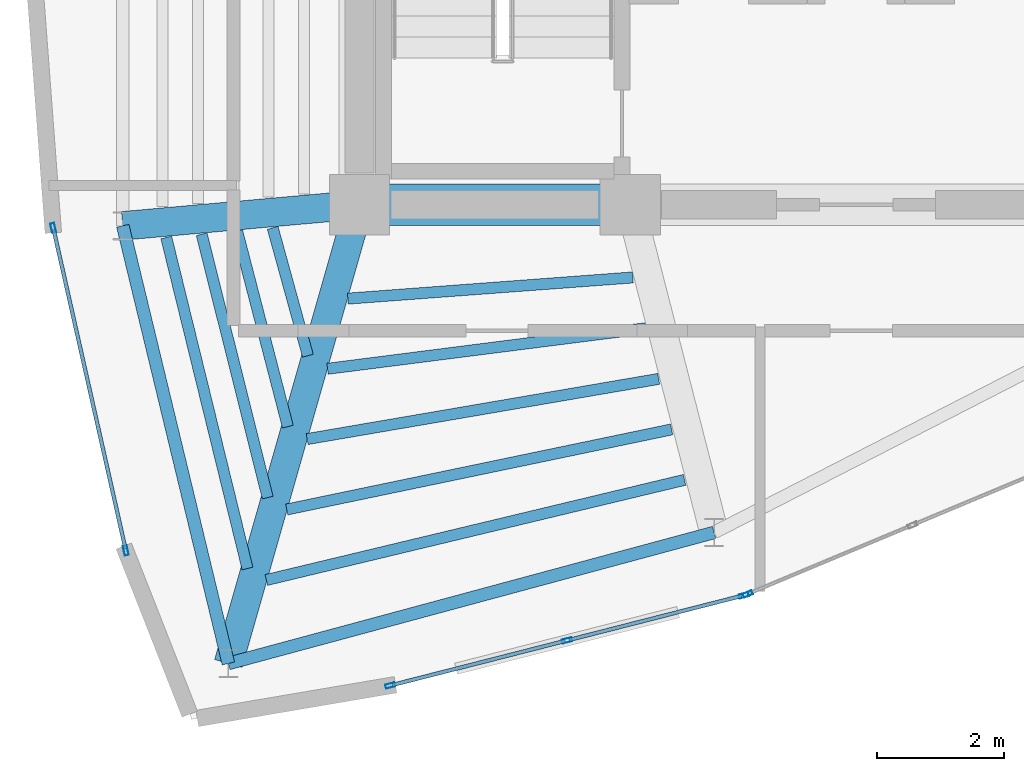
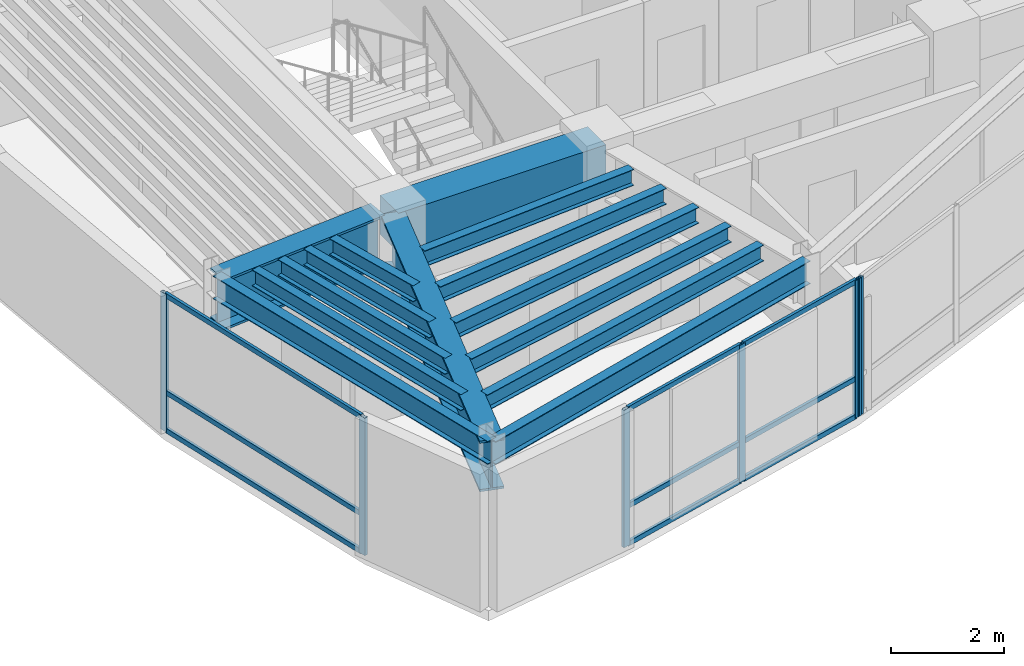
# One storey, part 2 of 14: 15 members, 14 beams, 3 elements without a shape of their own.
"""IFC4 building model written with IfcOpenShell, lengths in metres."""

from ifc_helpers import new_model, si_unit, direction, frame, origin, origin_2d, place, context, subcontext, project, spatial, rectangle, hollow_rectangle, i_section, extrude, material, layer, layer_set, material_profile, profile_set, type_object, element, aggregate, save


model = new_model("IFC4")

# Units and contexts
model_context = context("Model", 3, precision=1e-05, world=origin(), true_north=direction((0.0, 1.0)))
body_context = subcontext(model_context, "Body", "Model", "MODEL_VIEW")
ifc_project = project(units=[si_unit("LENGTHUNIT", "METRE"), si_unit("AREAUNIT", "SQUARE_METRE"), si_unit("VOLUMEUNIT", "CUBIC_METRE"), si_unit("PLANEANGLEUNIT", "RADIAN"), si_unit("MASSUNIT", "GRAM", prefix="KILO")], contexts=[model_context])

# Site, building, storey
site_placement = place(None, origin())
site = spatial("IfcSite", under=ifc_project, at=site_placement, CompositionType="ELEMENT")
building_placement = place(site_placement, origin())
building = spatial("IfcBuilding", under=site, at=building_placement, Name="Menara Vayukalpa", CompositionType="ELEMENT")
storey_placement = place(building_placement, frame((0.0, 0.0, 312.02001953125)))
storey = spatial("IfcBuildingStorey", under=building, at=storey_placement, Name="L80", CompositionType="ELEMENT", Elevation=312.02001953125)

# Beams
ifc_material_1 = material(Name="Concrete C60/75", Category="concrete")
ifc_material_profile_1 = material_profile(ifc_material_1, rectangle(XDim=0.64990234375, YDim=0.85009765625, at=origin_2d()), Name="RC 650x850")
ifc_profile_set_1 = profile_set([ifc_material_profile_1], Name="Concrete C60/75")
beam_type_1 = type_object("IfcBeamType", Name="BM-CB1", PredefinedType="BEAM", material=ifc_profile_set_1)
beam_1_placement = place(storey_placement, frame((17.800048828125, 17.199951171875, 2.554931640625), z_axis=(1.0, 0.0, 0.0), x_axis=(0.0, 1.0, 0.0)))
element("IfcBeam", 1, at=beam_1_placement, inside=storey, type_object=beam_type_1, Name="L80 Core Tie Beam CBR1", PredefinedType="BEAM", context=body_context, shape_type="SweptSolid", body=[
    extrude(rectangle(XDim=0.64990234375, YDim=0.85009765625, at=origin_2d()), origin(), (0.0, 0.0, 1.0), 4.25),
])
ifc_material_2 = material(Name="Steel S460", Category="steel")
ifc_material_profile_2 = material_profile(ifc_material_2, i_section(OverallWidth=0.449951171875, OverallDepth=1.10009765625, WebThickness=0.02490234375, FlangeThickness=0.050048828125, at=origin_2d()), Name="WG 1100x450x25x50")
ifc_profile_set_2 = profile_set([ifc_material_profile_2], Name="Steel S460")
beam_type_2 = type_object("IfcBeamType", Name="BM-MTG1", PredefinedType="BEAM", material=ifc_profile_set_2)
beam_2_placement = place(storey_placement, frame((17.551025390625, 17.177734375, 2.429931640625), z_axis=(-0.996018615253, -0.089145488221, 0.0), x_axis=(0.089145488221, -0.996018615253, 0.0)))
element("IfcBeam", 2, at=beam_2_placement, inside=storey, type_object=beam_type_2, Name="L80 Primary Radial Girder RG06", PredefinedType="BEAM", context=body_context, shape_type="SweptSolid", body=[
    extrude(i_section(OverallWidth=0.449951171875, OverallDepth=1.10009765625, WebThickness=0.02490234375, FlangeThickness=0.050048828125, at=origin_2d()), origin(), (0.0, 0.0, 1.0), 3.483642578125),
])
beam_3_placement = place(storey_placement, frame((17.731201171875, 16.959716796875, 2.429931640625), z_axis=(-0.274721127897, -0.961523947641, 0.0), x_axis=(0.961523947641, -0.274721127897, 0.0)))
element("IfcBeam", 3, at=beam_3_placement, inside=storey, type_object=beam_type_2, Name="L80 Primary Radial Girder RG07", PredefinedType="BEAM", context=body_context, shape_type="SweptSolid", body=[
    extrude(i_section(OverallWidth=0.449951171875, OverallDepth=1.10009765625, WebThickness=0.02490234375, FlangeThickness=0.050048828125, at=origin_2d()), origin(), (0.0, 0.0, 1.0), 7.246337890625),
])
ifc_material_3 = material(Name="Steel S355", Category="steel")
ifc_material_profile_3 = material_profile(ifc_material_3, i_section(OverallWidth=0.175048828125, OverallDepth=0.35009765625, WebThickness=0.007080078125, FlangeThickness=0.010986328125, at=origin_2d()), Name="WF 350x175x7x11")
ifc_profile_set_3 = profile_set([ifc_material_profile_3], Name="Steel S355")
beam_type_3 = type_object("IfcBeamType", Name="BM-SJ3", PredefinedType="JOIST", material=ifc_profile_set_3)
beam_4_placement = place(storey_placement, frame((16.436279296875, 16.8359375, 2.804931640625), z_axis=(0.265485960503, -0.964114725941, 0.0), x_axis=(0.964114725941, 0.265485960503, 0.0)))
element("IfcBeam", 4, at=beam_4_placement, inside=storey, type_object=beam_type_3, Name="L80 Secondary Floor Joist SJ06-2", PredefinedType="JOIST", context=body_context, shape_type="SweptSolid", body=[
    extrude(i_section(OverallWidth=0.175048828125, OverallDepth=0.35009765625, WebThickness=0.007080078125, FlangeThickness=0.010986328125, at=origin_2d()), origin(), (0.0, 0.0, 1.0), 2.083740234375),
])
beam_5_placement = place(storey_placement, frame((15.877685546875, 16.785400390625, 2.804931640625), z_axis=(0.250996862559, -0.967987900227, 0.0), x_axis=(0.967987900227, 0.250996862559, 0.0)))
element("IfcBeam", 5, at=beam_5_placement, inside=storey, type_object=beam_type_3, Name="L80 Secondary Floor Joist SJ06-3", PredefinedType="JOIST", context=body_context, shape_type="SweptSolid", body=[
    extrude(i_section(OverallWidth=0.175048828125, OverallDepth=0.35009765625, WebThickness=0.007080078125, FlangeThickness=0.010986328125, at=origin_2d()), origin(), (0.0, 0.0, 1.0), 3.173828125),
])
beam_6_placement = place(storey_placement, frame((15.32080078125, 16.735107421875, 2.804931640625), z_axis=(0.243209126808, -0.969973876265, 0.0), x_axis=(0.969973876265, 0.243209126808, 0.0)))
element("IfcBeam", 6, at=beam_6_placement, inside=storey, type_object=beam_type_3, Name="L80 Secondary Floor Joist SJ06-4", PredefinedType="JOIST", context=body_context, shape_type="SweptSolid", body=[
    extrude(i_section(OverallWidth=0.175048828125, OverallDepth=0.35009765625, WebThickness=0.007080078125, FlangeThickness=0.010986328125, at=origin_2d()), origin(), (0.0, 0.0, 1.0), 4.26416015625),
])
beam_7_placement = place(storey_placement, frame((14.764404296875, 16.68505859375, 2.804931640625), z_axis=(0.238306723875, -0.971189942985, 0.0), x_axis=(0.971189942985, 0.238306723875, 0.0)))
element("IfcBeam", 7, at=beam_7_placement, inside=storey, type_object=beam_type_3, Name="L80 Secondary Floor Joist SJ06-5", PredefinedType="JOIST", context=body_context, shape_type="SweptSolid", body=[
    extrude(i_section(OverallWidth=0.175048828125, OverallDepth=0.35009765625, WebThickness=0.007080078125, FlangeThickness=0.010986328125, at=origin_2d()), origin(), (0.0, 0.0, 1.0), 5.35498046875),
])
beam_8_placement = place(storey_placement, frame((17.6171875, 15.7236328125, 2.804931640625), z_axis=(0.997249175421, 0.074122075804, 0.0), x_axis=(-0.074122075804, 0.997249175421, 0.0)))
element("IfcBeam", 8, at=beam_8_placement, inside=storey, type_object=beam_type_3, Name="L80 Secondary Floor Joist SJ07-1", PredefinedType="JOIST", context=body_context, shape_type="SweptSolid", body=[
    extrude(i_section(OverallWidth=0.175048828125, OverallDepth=0.35009765625, WebThickness=0.007080078125, FlangeThickness=0.010986328125, at=origin_2d()), origin(), (0.0, 0.0, 1.0), 4.489501953125),
])
beam_9_placement = place(storey_placement, frame((17.297607421875, 14.62158203125, 2.804931640625), z_axis=(0.991987539287, 0.126335750682, 0.0), x_axis=(-0.126335750682, 0.991987539287, 0.0)))
element("IfcBeam", 9, at=beam_9_placement, inside=storey, type_object=beam_type_3, Name="L80 Secondary Floor Joist SJ07-2", PredefinedType="JOIST", context=body_context, shape_type="SweptSolid", body=[
    extrude(i_section(OverallWidth=0.175048828125, OverallDepth=0.35009765625, WebThickness=0.007080078125, FlangeThickness=0.010986328125, at=origin_2d()), origin(), (0.0, 0.0, 1.0), 5.039794921875),
])
beam_10_placement = place(storey_placement, frame((16.977294921875, 13.517333984375, 2.804931640625), z_axis=(0.985657685594, 0.168757005274, 0.0), x_axis=(-0.168757005274, 0.985657685594, 0.0)))
element("IfcBeam", 10, at=beam_10_placement, inside=storey, type_object=beam_type_3, Name="L80 Secondary Floor Joist SJ07-3", PredefinedType="JOIST", context=body_context, shape_type="SweptSolid", body=[
    extrude(i_section(OverallWidth=0.175048828125, OverallDepth=0.35009765625, WebThickness=0.007080078125, FlangeThickness=0.010986328125, at=origin_2d()), origin(), (0.0, 0.0, 1.0), 5.60302734375),
])
beam_11_placement = place(storey_placement, frame((16.6572265625, 12.4111328125, 2.804931640625), z_axis=(0.979027428924, 0.203728479637, 0.0), x_axis=(-0.203728479637, 0.979027428924, 0.0)))
element("IfcBeam", 11, at=beam_11_placement, inside=storey, type_object=beam_type_3, Name="L80 Secondary Floor Joist SJ07-4", PredefinedType="JOIST", context=body_context, shape_type="SweptSolid", body=[
    extrude(i_section(OverallWidth=0.175048828125, OverallDepth=0.35009765625, WebThickness=0.007080078125, FlangeThickness=0.010986328125, at=origin_2d()), origin(), (0.0, 0.0, 1.0), 6.175048828125),
])
beam_12_placement = place(storey_placement, frame((16.337158203125, 11.303466796875, 2.804931640625), z_axis=(0.972497430752, 0.232913604541, 0.0), x_axis=(-0.232913604541, 0.972497430752, 0.0)))
element("IfcBeam", 12, at=beam_12_placement, inside=storey, type_object=beam_type_3, Name="L80 Secondary Floor Joist SJ07-5", PredefinedType="JOIST", context=body_context, shape_type="SweptSolid", body=[
    extrude(i_section(OverallWidth=0.175048828125, OverallDepth=0.35009765625, WebThickness=0.007080078125, FlangeThickness=0.010986328125, at=origin_2d()), origin(), (0.0, 0.0, 1.0), 6.754638671875),
])
ifc_material_4 = material(Name="Steel S355", Category="steel")
ifc_material_profile_4 = material_profile(ifc_material_4, i_section(OverallWidth=0.199951171875, OverallDepth=0.5, WebThickness=0.010009765625, FlangeThickness=0.01611328125, at=origin_2d()), Name="WF 500x200x10x16")
ifc_profile_set_4 = profile_set([ifc_material_profile_4], Name="Steel S355")
beam_type_4 = type_object("IfcBeamType", Name="BM-SP3", PredefinedType="SPANDREL", material=ifc_profile_set_4)
beam_13_placement = place(storey_placement, frame((14.081298828125, 16.8671875, 2.72998046875), z_axis=(0.234600039411, -0.97209198202, 0.0), x_axis=(0.97209198202, 0.234600039411, 0.0)))
element("IfcBeam", 13, at=beam_13_placement, inside=storey, type_object=beam_type_4, Name="L80 Perimeter Spandrel Beam SP06", PredefinedType="SPANDREL", context=body_context, shape_type="SweptSolid", body=[
    extrude(i_section(OverallWidth=0.199951171875, OverallDepth=0.5, WebThickness=0.010009765625, FlangeThickness=0.01611328125, at=origin_2d()), origin(), (0.0, 0.0, 1.0), 7.072265625),
])
beam_14_placement = place(storey_placement, frame((15.740478515625, 9.9921875, 2.72998046875), z_axis=(0.965485889412, 0.260455365361, 0.0), x_axis=(-0.260455365361, 0.965485889412, 0.0)))
element("IfcBeam", 14, at=beam_14_placement, inside=storey, type_object=beam_type_4, Name="L80 Perimeter Spandrel Beam SP07", PredefinedType="SPANDREL", context=body_context, shape_type="SweptSolid", body=[
    extrude(i_section(OverallWidth=0.199951171875, OverallDepth=0.5, WebThickness=0.010009765625, FlangeThickness=0.01611328125, at=origin_2d()), origin(), (0.0, 0.0, 1.0), 7.90283203125),
])

# Curtain wall, members
ifc_material_5 = material(Name="Anodised Terracotta Aluminium Alloy 6063-T6", Category="masonry")
ifc_layer = layer(ifc_material_5, 0.14990234375)
ifc_layer_set = layer_set([ifc_layer], Name="Anodised Terracotta Aluminium Alloy 6063-T6")
curtain_wall_type = type_object("IfcCurtainWallType", Name="CW-CW7", PredefinedType="USERDEFINED", material=ifc_layer_set)
curtain_wall_1_placement = place(storey_placement, origin())
curtain_wall_1 = element("IfcCurtainWall", 15, at=curtain_wall_1_placement, inside=storey, type_object=curtain_wall_type, Name="L80 Crown Drum Screened Curtain Wall CW7 12", ObjectType="UNITISED", PredefinedType="USERDEFINED")
ifc_material_6 = material(Name="Anodised Terracotta Aluminium Alloy 6063-T6", Category="masonry")
ifc_material_profile_5 = material_profile(ifc_material_6, hollow_rectangle(XDim=0.06494140625, YDim=0.14990234375, WallThickness=0.00341796875, at=origin_2d()), Name="ALU 65x150x3.5")
ifc_profile_set_5 = profile_set([ifc_material_profile_5], Name="Anodised Terracotta Aluminium Alloy 6063-T6")
member_type_1 = type_object("IfcMemberType", Name="CWM-CW7", PredefinedType="MULLION", material=ifc_profile_set_5)
member_1_placement = place(storey_placement, frame((12.988525390625, 16.83544921875, 0.0), z_axis=(0.0, 0.0, 1.0), x_axis=(0.975608941973, 0.219515813421, 0.0)))
member_1 = element("IfcMember", 16, at=member_1_placement, type_object=member_type_1, Name="CW7 mullion 1", PredefinedType="MULLION", context=body_context, shape_type="SweptSolid", body=[
    extrude(hollow_rectangle(XDim=0.06494140625, YDim=0.14990234375, WallThickness=0.00341796875, at=origin_2d()), origin(), (0.0, 0.0, 1.0), 2.97998046875),
])
member_2_placement = place(storey_placement, frame((14.129150390625, 11.76611328125, 0.0), z_axis=(0.0, 0.0, 1.0), x_axis=(0.975608941973, 0.219515813421, 0.0)))
member_2 = element("IfcMember", 17, at=member_2_placement, type_object=member_type_1, Name="CW7 mullion 2", PredefinedType="MULLION", context=body_context, shape_type="SweptSolid", body=[
    extrude(hollow_rectangle(XDim=0.06494140625, YDim=0.14990234375, WallThickness=0.00341796875, at=origin_2d()), origin(), (0.0, 0.0, 1.0), 2.97998046875),
])

curtain_wall_2_placement = place(storey_placement, origin())
curtain_wall_2 = element("IfcCurtainWall", 18, at=curtain_wall_2_placement, inside=storey, type_object=curtain_wall_type, Name="L80 Crown Drum Screened Curtain Wall CW7 15", ObjectType="UNITISED", PredefinedType="USERDEFINED")
member_3_placement = place(storey_placement, frame((18.284423828125, 9.64599609375, 0.0), z_axis=(0.0, 0.0, 1.0), x_axis=(-0.247123764219, 0.968983924097, 0.0)))
member_3 = element("IfcMember", 19, at=member_3_placement, type_object=member_type_1, Name="CW7 mullion 1", PredefinedType="MULLION", context=body_context, shape_type="SweptSolid", body=[
    extrude(hollow_rectangle(XDim=0.06494140625, YDim=0.14990234375, WallThickness=0.00341796875, at=origin_2d()), origin(), (0.0, 0.0, 1.0), 2.97998046875),
])
member_4_placement = place(storey_placement, frame((21.0615234375, 10.354248046875, 0.0), z_axis=(0.0, 0.0, 1.0), x_axis=(-0.247123764219, 0.968983924097, 0.0)))
member_4 = element("IfcMember", 20, at=member_4_placement, type_object=member_type_1, Name="CW7 mullion 2", PredefinedType="MULLION", context=body_context, shape_type="SweptSolid", body=[
    extrude(hollow_rectangle(XDim=0.06494140625, YDim=0.14990234375, WallThickness=0.00341796875, at=origin_2d()), origin(), (0.0, 0.0, 1.0), 2.97998046875),
])
member_5_placement = place(storey_placement, frame((23.83837890625, 11.062255859375, 0.0), z_axis=(0.0, 0.0, 1.0), x_axis=(-0.247123764219, 0.968983924097, 0.0)))
member_5 = element("IfcMember", 21, at=member_5_placement, type_object=member_type_1, Name="CW7 mullion 3", PredefinedType="MULLION", context=body_context, shape_type="SweptSolid", body=[
    extrude(hollow_rectangle(XDim=0.06494140625, YDim=0.14990234375, WallThickness=0.00341796875, at=origin_2d()), origin(), (0.0, 0.0, 1.0), 2.97998046875),
])

# Curtain wall, member
curtain_wall_3_placement = place(storey_placement, origin())
curtain_wall_3 = element("IfcCurtainWall", 22, at=curtain_wall_3_placement, inside=storey, type_object=curtain_wall_type, Name="L80 Crown Drum Screened Curtain Wall CW7 16", ObjectType="UNITISED", PredefinedType="USERDEFINED")
member_6_placement = place(storey_placement, frame((23.89990234375, 11.0830078125, 0.0), z_axis=(0.0, 0.0, 1.0), x_axis=(-0.385898361946, 0.922541302191, 0.0)))
member_6 = element("IfcMember", 23, at=member_6_placement, type_object=member_type_1, Name="CW7 mullion 1", PredefinedType="MULLION", context=body_context, shape_type="SweptSolid", body=[
    extrude(hollow_rectangle(XDim=0.06494140625, YDim=0.14990234375, WallThickness=0.00341796875, at=origin_2d()), origin(), (0.0, 0.0, 1.0), 2.97998046875),
])
aggregate(curtain_wall_3, [member_6])

# Member
ifc_material_7 = material(Name="Anodised Terracotta Aluminium Alloy 6063-T6", Category="masonry")
ifc_material_profile_6 = material_profile(ifc_material_7, hollow_rectangle(XDim=0.06005859375, YDim=0.10498046875, WallThickness=0.0029296875, at=origin_2d()), Name="ALU 60x105x3")
ifc_profile_set_6 = profile_set([ifc_material_profile_6], Name="Anodised Terracotta Aluminium Alloy 6063-T6")
member_type_2 = type_object("IfcMemberType", Name="CWT-CW7", PredefinedType="USERDEFINED", material=ifc_profile_set_6)
member_7_placement = place(storey_placement, frame((12.99560546875, 16.8037109375, 0.030029296875), z_axis=(0.219539368084, -0.975603641784, 0.0), x_axis=(0.975603641784, 0.219539368084, 0.0)))
member_7 = element("IfcMember", 24, at=member_7_placement, type_object=member_type_2, Name="CW7 transom 1.1", ObjectType="TRANSOM", PredefinedType="USERDEFINED", context=body_context, shape_type="SweptSolid", body=[
    extrude(hollow_rectangle(XDim=0.06005859375, YDim=0.10498046875, WallThickness=0.0029296875, at=origin_2d()), origin(), (0.0, 0.0, 1.0), 5.131103515625),
])

member_8_placement = place(storey_placement, frame((12.99560546875, 16.8037109375, 0.85009765625), z_axis=(0.219539368084, -0.975603641784, 0.0), x_axis=(0.975603641784, 0.219539368084, 0.0)))
member_8 = element("IfcMember", 25, at=member_8_placement, type_object=member_type_2, Name="CW7 transom 1.2", ObjectType="TRANSOM", PredefinedType="USERDEFINED", context=body_context, shape_type="SweptSolid", body=[
    extrude(hollow_rectangle(XDim=0.06005859375, YDim=0.10498046875, WallThickness=0.0029296875, at=origin_2d()), origin(), (0.0, 0.0, 1.0), 5.131103515625),
])

member_9_placement = place(storey_placement, frame((12.99560546875, 16.8037109375, 2.949951171875), z_axis=(0.219539368084, -0.975603641784, 0.0), x_axis=(0.975603641784, 0.219539368084, 0.0)))
member_9 = element("IfcMember", 26, at=member_9_placement, type_object=member_type_2, Name="CW7 transom 1.3", ObjectType="TRANSOM", PredefinedType="USERDEFINED", context=body_context, shape_type="SweptSolid", body=[
    extrude(hollow_rectangle(XDim=0.06005859375, YDim=0.10498046875, WallThickness=0.0029296875, at=origin_2d()), origin(), (0.0, 0.0, 1.0), 5.131103515625),
])

aggregate(curtain_wall_1, [member_1, member_2, member_7, member_8, member_9])

member_10_placement = place(storey_placement, frame((18.31591796875, 9.654052734375, 0.030029296875), z_axis=(0.968988349591, 0.247106411, 0.0), x_axis=(-0.247106411, 0.968988349591, 0.0)))
member_10 = element("IfcMember", 27, at=member_10_placement, type_object=member_type_2, Name="CW7 transom 1.1", ObjectType="TRANSOM", PredefinedType="USERDEFINED", context=body_context, shape_type="SweptSolid", body=[
    extrude(hollow_rectangle(XDim=0.06005859375, YDim=0.10498046875, WallThickness=0.0029296875, at=origin_2d()), origin(), (0.0, 0.0, 1.0), 2.801025390625),
])

member_11_placement = place(storey_placement, frame((18.31591796875, 9.654052734375, 0.85009765625), z_axis=(0.968988349591, 0.247106411, 0.0), x_axis=(-0.247106411, 0.968988349591, 0.0)))
member_11 = element("IfcMember", 28, at=member_11_placement, type_object=member_type_2, Name="CW7 transom 1.2", ObjectType="TRANSOM", PredefinedType="USERDEFINED", context=body_context, shape_type="SweptSolid", body=[
    extrude(hollow_rectangle(XDim=0.06005859375, YDim=0.10498046875, WallThickness=0.0029296875, at=origin_2d()), origin(), (0.0, 0.0, 1.0), 2.801025390625),
])

member_12_placement = place(storey_placement, frame((18.31591796875, 9.654052734375, 2.949951171875), z_axis=(0.968988349591, 0.247106411, 0.0), x_axis=(-0.247106411, 0.968988349591, 0.0)))
member_12 = element("IfcMember", 29, at=member_12_placement, type_object=member_type_2, Name="CW7 transom 1.3", ObjectType="TRANSOM", PredefinedType="USERDEFINED", context=body_context, shape_type="SweptSolid", body=[
    extrude(hollow_rectangle(XDim=0.06005859375, YDim=0.10498046875, WallThickness=0.0029296875, at=origin_2d()), origin(), (0.0, 0.0, 1.0), 2.801025390625),
])

member_13_placement = place(storey_placement, frame((21.093017578125, 10.362060546875, 0.030029296875), z_axis=(0.968962149671, 0.247209127066, 0.0), x_axis=(-0.247209127066, 0.968962149671, 0.0)))
member_13 = element("IfcMember", 30, at=member_13_placement, type_object=member_type_2, Name="CW7 transom 2.1", ObjectType="TRANSOM", PredefinedType="USERDEFINED", context=body_context, shape_type="SweptSolid", body=[
    extrude(hollow_rectangle(XDim=0.06005859375, YDim=0.10498046875, WallThickness=0.0029296875, at=origin_2d()), origin(), (0.0, 0.0, 1.0), 2.80078125),
])

member_14_placement = place(storey_placement, frame((21.093017578125, 10.362060546875, 0.85009765625), z_axis=(0.968962149671, 0.247209127066, 0.0), x_axis=(-0.247209127066, 0.968962149671, 0.0)))
member_14 = element("IfcMember", 31, at=member_14_placement, type_object=member_type_2, Name="CW7 transom 2.2", ObjectType="TRANSOM", PredefinedType="USERDEFINED", context=body_context, shape_type="SweptSolid", body=[
    extrude(hollow_rectangle(XDim=0.06005859375, YDim=0.10498046875, WallThickness=0.0029296875, at=origin_2d()), origin(), (0.0, 0.0, 1.0), 2.80078125),
])

member_15_placement = place(storey_placement, frame((21.093017578125, 10.362060546875, 2.949951171875), z_axis=(0.968962149671, 0.247209127066, 0.0), x_axis=(-0.247209127066, 0.968962149671, 0.0)))
member_15 = element("IfcMember", 32, at=member_15_placement, type_object=member_type_2, Name="CW7 transom 2.3", ObjectType="TRANSOM", PredefinedType="USERDEFINED", context=body_context, shape_type="SweptSolid", body=[
    extrude(hollow_rectangle(XDim=0.06005859375, YDim=0.10498046875, WallThickness=0.0029296875, at=origin_2d()), origin(), (0.0, 0.0, 1.0), 2.80078125),
])

aggregate(curtain_wall_2, [member_3, member_4, member_5, member_10, member_11, member_12, member_13, member_14, member_15])

save(model, "model.ifc")
